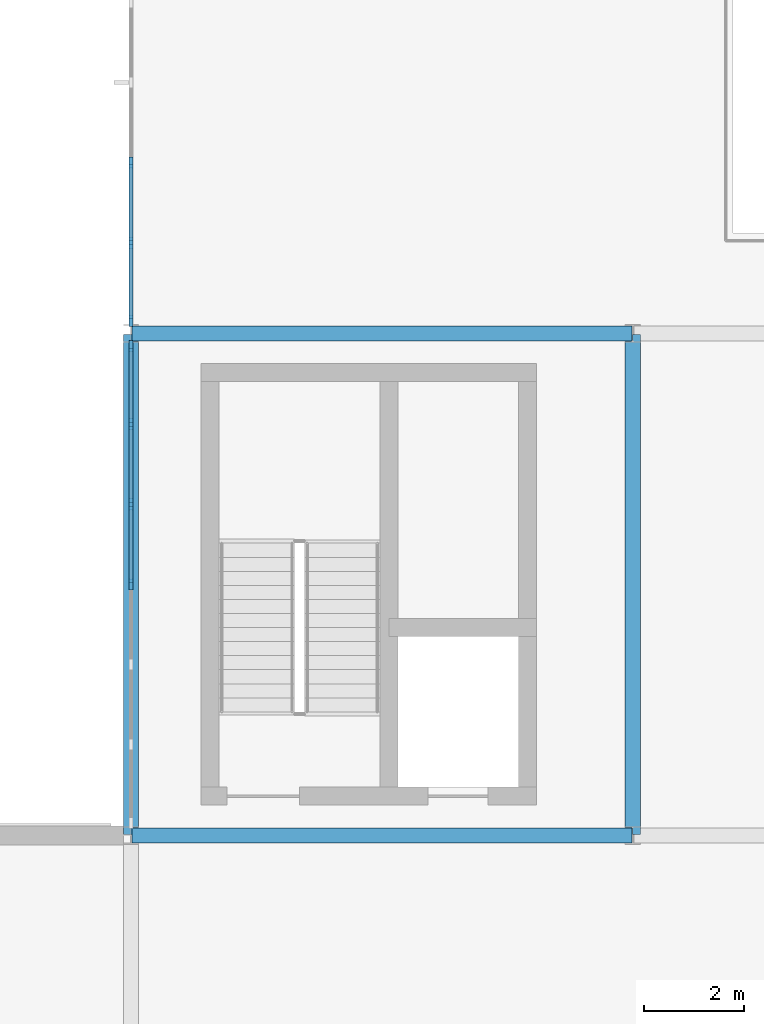
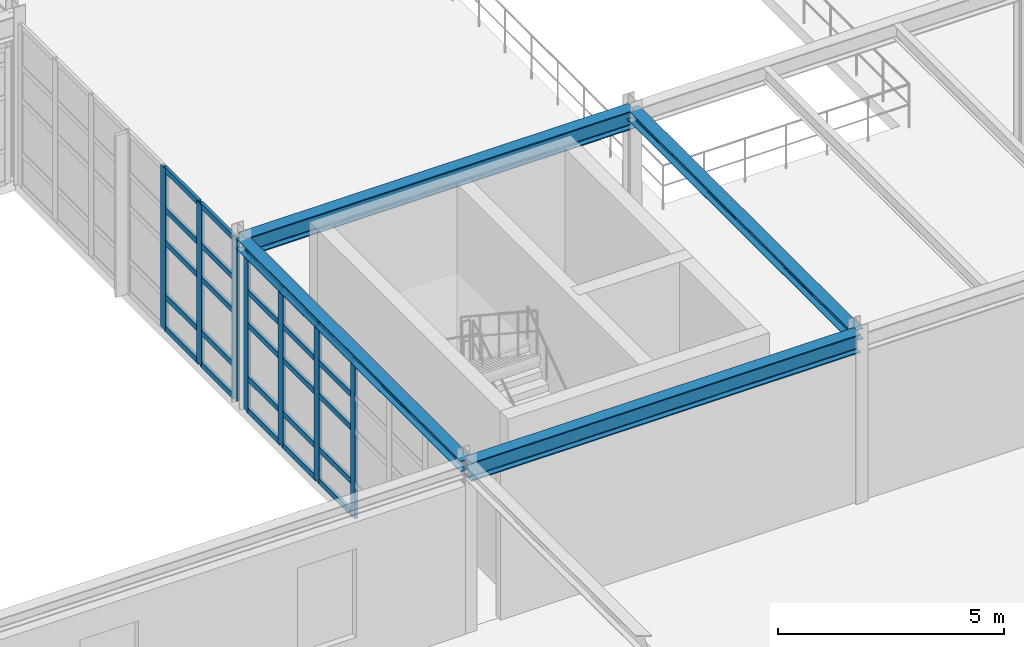
# One storey, part 36 of 139: 32 members, 4 beams, 2 elements without a shape of their own.
"""IFC4 building model written with IfcOpenShell, lengths in metres."""

from ifc_helpers import new_model, si_unit, direction, frame, origin, origin_2d, place, context, subcontext, project, spatial, rectangle, i_section, extrude, material, layer, layer_set, material_profile, profile_set, type_object, element, aggregate, save


model = new_model("IFC4")

# Units and contexts
model_context = context("Model", 3, precision=1e-05, world=origin(), true_north=direction((0.0, 1.0)))
body_context = subcontext(model_context, "Body", "Model", "MODEL_VIEW")
ifc_project = project(units=[si_unit("LENGTHUNIT", "METRE"), si_unit("AREAUNIT", "SQUARE_METRE"), si_unit("VOLUMEUNIT", "CUBIC_METRE"), si_unit("PLANEANGLEUNIT", "RADIAN"), si_unit("MASSUNIT", "GRAM", prefix="KILO"), si_unit("THERMODYNAMICTEMPERATUREUNIT", "KELVIN"), si_unit("POWERUNIT", "WATT")], contexts=[model_context])

# Site, building, storey
site_placement = place(None, origin())
site = spatial("IfcSite", under=ifc_project, at=site_placement, CompositionType="ELEMENT")
building_placement = place(site_placement, origin())
building = spatial("IfcBuilding", under=site, at=building_placement, Name="Korenveer Ferry Terminal", CompositionType="ELEMENT")
storey_placement = place(building_placement, frame((0.0, 0.0, 5.39990234375)))
storey = spatial("IfcBuildingStorey", under=building, at=storey_placement, Name="L01", CompositionType="ELEMENT", Elevation=5.39990234375)

# Curtain wall, members
ifc_material_1 = material(Name="Unitised bronze-and-glass curtain wall", Category="glass")
ifc_layer_1 = layer(ifc_material_1, 0.219970703125)
ifc_layer_set_1 = layer_set([ifc_layer_1], Name="Unitised bronze-and-glass curtain wall")
curtain_wall_type_1 = type_object("IfcCurtainWallType", Name="ENV-CW-68", PredefinedType="USERDEFINED", material=ifc_layer_set_1)
curtain_wall_1_placement = place(storey_placement, frame((53.0, 50.2099609375, 0.0)))
curtain_wall_1 = element("IfcCurtainWall", 1, at=curtain_wall_1_placement, inside=storey, type_object=curtain_wall_type_1, Name="Lancet curtain wall CWX-L01-X53-53-Y50-60", ObjectType="UNITISED CURTAIN WALL", PredefinedType="USERDEFINED")
ifc_material_2 = material(Name="Anodised bronze aluminium", Category="aluminium")
ifc_material_profile_1 = material_profile(ifc_material_2, rectangle(XDim=0.074951171875, YDim=0.219970703125, at=origin_2d()), Name="ALU 75x220")
ifc_profile_set_1 = profile_set([ifc_material_profile_1], Name="Anodised bronze aluminium")
member_type_1 = type_object("IfcMemberType", Name="ENV-CWM-75X220", PredefinedType="MULLION", material=ifc_profile_set_1)
member_1_placement = place(storey_placement, frame((53.0, 55.0, 0.0), z_axis=(0.0, 0.0, 1.0), x_axis=(-1.0, 0.0, 0.0)))
member_1 = element("IfcMember", 2, at=member_1_placement, type_object=member_type_1, Name="CW-68 mullion 4", PredefinedType="MULLION", context=body_context, shape_type="SweptSolid", body=[
    extrude(rectangle(XDim=0.074951171875, YDim=0.219970703125, at=origin_2d()), origin(), (0.0, 0.0, 1.0), 4.22998046875),
])
member_2_placement = place(storey_placement, frame((53.0, 56.5966796875, 0.0), z_axis=(0.0, 0.0, 1.0), x_axis=(-1.0, 0.0, 0.0)))
member_2 = element("IfcMember", 3, at=member_2_placement, type_object=member_type_1, Name="CW-68 mullion 5", PredefinedType="MULLION", context=body_context, shape_type="SweptSolid", body=[
    extrude(rectangle(XDim=0.074951171875, YDim=0.219970703125, at=origin_2d()), origin(), (0.0, 0.0, 1.0), 4.22998046875),
])
member_3_placement = place(storey_placement, frame((53.0, 58.193359375, 0.0), z_axis=(0.0, 0.0, 1.0), x_axis=(-1.0, 0.0, 0.0)))
member_3 = element("IfcMember", 4, at=member_3_placement, type_object=member_type_1, Name="CW-68 mullion 6", PredefinedType="MULLION", context=body_context, shape_type="SweptSolid", body=[
    extrude(rectangle(XDim=0.074951171875, YDim=0.219970703125, at=origin_2d()), origin(), (0.0, 0.0, 1.0), 4.22998046875),
])
member_4_placement = place(storey_placement, frame((53.0, 59.75244140625, 0.0), z_axis=(0.0, 0.0, 1.0), x_axis=(-1.0, 0.0, 0.0)))
member_4 = element("IfcMember", 5, at=member_4_placement, type_object=member_type_1, Name="CW-68 mullion 7", PredefinedType="MULLION", context=body_context, shape_type="SweptSolid", body=[
    extrude(rectangle(XDim=0.074951171875, YDim=0.219970703125, at=origin_2d()), origin(), (0.0, 0.0, 1.0), 4.22998046875),
])

ifc_layer_2 = layer(ifc_material_1, 0.219970703125)
ifc_layer_set_2 = layer_set([ifc_layer_2], Name="Unitised bronze-and-glass curtain wall")
curtain_wall_type_2 = type_object("IfcCurtainWallType", Name="ENV-CW-69", PredefinedType="USERDEFINED", material=ifc_layer_set_2)
curtain_wall_2_placement = place(storey_placement, frame((53.0, 60.2099609375, 0.0)))
curtain_wall_2 = element("IfcCurtainWall", 6, at=curtain_wall_2_placement, inside=storey, type_object=curtain_wall_type_2, Name="Lancet curtain wall CWX-L01-X53-53-Y60-70", ObjectType="UNITISED CURTAIN WALL", PredefinedType="USERDEFINED")
member_5_placement = place(storey_placement, frame((53.0, 60.24755859375, 0.0), z_axis=(0.0, 0.0, 1.0), x_axis=(-1.0, 0.0, 0.0)))
member_5 = element("IfcMember", 7, at=member_5_placement, type_object=member_type_1, Name="CW-69 mullion 1", PredefinedType="MULLION", context=body_context, shape_type="SweptSolid", body=[
    extrude(rectangle(XDim=0.074951171875, YDim=0.219970703125, at=origin_2d()), origin(), (0.0, 0.0, 1.0), 4.360107421875),
])
member_6_placement = place(storey_placement, frame((53.0, 61.806640625, 0.0), z_axis=(0.0, 0.0, 1.0), x_axis=(-1.0, 0.0, 0.0)))
member_6 = element("IfcMember", 8, at=member_6_placement, type_object=member_type_1, Name="CW-69 mullion 2", PredefinedType="MULLION", context=body_context, shape_type="SweptSolid", body=[
    extrude(rectangle(XDim=0.074951171875, YDim=0.219970703125, at=origin_2d()), origin(), (0.0, 0.0, 1.0), 4.360107421875),
])
member_7_placement = place(storey_placement, frame((53.0, 63.4033203125, 0.0), z_axis=(0.0, 0.0, 1.0), x_axis=(-1.0, 0.0, 0.0)))
member_7 = element("IfcMember", 9, at=member_7_placement, type_object=member_type_1, Name="CW-69 mullion 3", PredefinedType="MULLION", context=body_context, shape_type="SweptSolid", body=[
    extrude(rectangle(XDim=0.074951171875, YDim=0.219970703125, at=origin_2d()), origin(), (0.0, 0.0, 1.0), 4.360107421875),
])

# Member
ifc_material_profile_2 = material_profile(ifc_material_2, rectangle(XDim=0.074951171875, YDim=0.14990234375, at=origin_2d()), Name="ALU 75x150")
ifc_profile_set_2 = profile_set([ifc_material_profile_2], Name="Anodised bronze aluminium")
member_type_2 = type_object("IfcMemberType", Name="ENV-CWT-75X150", PredefinedType="USERDEFINED", material=ifc_profile_set_2)
member_8_placement = place(storey_placement, frame((53.0, 55.03759765625, 0.03759765625), z_axis=(0.0, 1.0, 0.0), x_axis=(-1.0, 0.0, 0.0)))
member_8 = element("IfcMember", 10, at=member_8_placement, type_object=member_type_2, Name="CW-68 transom 4.1", ObjectType="TRANSOM", PredefinedType="USERDEFINED", context=body_context, shape_type="SweptSolid", body=[
    extrude(rectangle(XDim=0.074951171875, YDim=0.14990234375, at=origin_2d()), origin(), (0.0, 0.0, 1.0), 1.521484375),
])

member_9_placement = place(storey_placement, frame((53.0, 55.03759765625, 0.900146484375), z_axis=(0.0, 1.0, 0.0), x_axis=(-1.0, 0.0, 0.0)))
member_9 = element("IfcMember", 11, at=member_9_placement, type_object=member_type_2, Name="CW-68 transom 4.2", ObjectType="TRANSOM", PredefinedType="USERDEFINED", context=body_context, shape_type="SweptSolid", body=[
    extrude(rectangle(XDim=0.074951171875, YDim=0.14990234375, at=origin_2d()), origin(), (0.0, 0.0, 1.0), 1.521484375),
])

member_10_placement = place(storey_placement, frame((53.0, 55.03759765625, 2.35009765625), z_axis=(0.0, 1.0, 0.0), x_axis=(-1.0, 0.0, 0.0)))
member_10 = element("IfcMember", 12, at=member_10_placement, type_object=member_type_2, Name="CW-68 transom 4.3", ObjectType="TRANSOM", PredefinedType="USERDEFINED", context=body_context, shape_type="SweptSolid", body=[
    extrude(rectangle(XDim=0.074951171875, YDim=0.14990234375, at=origin_2d()), origin(), (0.0, 0.0, 1.0), 1.521484375),
])

member_11_placement = place(storey_placement, frame((53.0, 55.03759765625, 3.25), z_axis=(0.0, 1.0, 0.0), x_axis=(-1.0, 0.0, 0.0)))
member_11 = element("IfcMember", 13, at=member_11_placement, type_object=member_type_2, Name="CW-68 transom 4.4", ObjectType="TRANSOM", PredefinedType="USERDEFINED", context=body_context, shape_type="SweptSolid", body=[
    extrude(rectangle(XDim=0.074951171875, YDim=0.14990234375, at=origin_2d()), origin(), (0.0, 0.0, 1.0), 1.521484375),
])

member_12_placement = place(storey_placement, frame((53.0, 55.03759765625, 4.192626953125), z_axis=(0.0, 1.0, 0.0), x_axis=(-1.0, 0.0, 0.0)))
member_12 = element("IfcMember", 14, at=member_12_placement, type_object=member_type_2, Name="CW-68 transom 4.5", ObjectType="TRANSOM", PredefinedType="USERDEFINED", context=body_context, shape_type="SweptSolid", body=[
    extrude(rectangle(XDim=0.074951171875, YDim=0.14990234375, at=origin_2d()), origin(), (0.0, 0.0, 1.0), 1.521484375),
])

member_13_placement = place(storey_placement, frame((53.0, 56.63427734375, 0.03759765625), z_axis=(0.0, 1.0, 0.0), x_axis=(-1.0, 0.0, 0.0)))
member_13 = element("IfcMember", 15, at=member_13_placement, type_object=member_type_2, Name="CW-68 transom 5.1", ObjectType="TRANSOM", PredefinedType="USERDEFINED", context=body_context, shape_type="SweptSolid", body=[
    extrude(rectangle(XDim=0.074951171875, YDim=0.14990234375, at=origin_2d()), origin(), (0.0, 0.0, 1.0), 1.521484375),
])

member_14_placement = place(storey_placement, frame((53.0, 56.63427734375, 0.900146484375), z_axis=(0.0, 1.0, 0.0), x_axis=(-1.0, 0.0, 0.0)))
member_14 = element("IfcMember", 16, at=member_14_placement, type_object=member_type_2, Name="CW-68 transom 5.2", ObjectType="TRANSOM", PredefinedType="USERDEFINED", context=body_context, shape_type="SweptSolid", body=[
    extrude(rectangle(XDim=0.074951171875, YDim=0.14990234375, at=origin_2d()), origin(), (0.0, 0.0, 1.0), 1.521484375),
])

member_15_placement = place(storey_placement, frame((53.0, 56.63427734375, 2.35009765625), z_axis=(0.0, 1.0, 0.0), x_axis=(-1.0, 0.0, 0.0)))
member_15 = element("IfcMember", 17, at=member_15_placement, type_object=member_type_2, Name="CW-68 transom 5.3", ObjectType="TRANSOM", PredefinedType="USERDEFINED", context=body_context, shape_type="SweptSolid", body=[
    extrude(rectangle(XDim=0.074951171875, YDim=0.14990234375, at=origin_2d()), origin(), (0.0, 0.0, 1.0), 1.521484375),
])

member_16_placement = place(storey_placement, frame((53.0, 56.63427734375, 3.25), z_axis=(0.0, 1.0, 0.0), x_axis=(-1.0, 0.0, 0.0)))
member_16 = element("IfcMember", 18, at=member_16_placement, type_object=member_type_2, Name="CW-68 transom 5.4", ObjectType="TRANSOM", PredefinedType="USERDEFINED", context=body_context, shape_type="SweptSolid", body=[
    extrude(rectangle(XDim=0.074951171875, YDim=0.14990234375, at=origin_2d()), origin(), (0.0, 0.0, 1.0), 1.521484375),
])

member_17_placement = place(storey_placement, frame((53.0, 56.63427734375, 4.192626953125), z_axis=(0.0, 1.0, 0.0), x_axis=(-1.0, 0.0, 0.0)))
member_17 = element("IfcMember", 19, at=member_17_placement, type_object=member_type_2, Name="CW-68 transom 5.5", ObjectType="TRANSOM", PredefinedType="USERDEFINED", context=body_context, shape_type="SweptSolid", body=[
    extrude(rectangle(XDim=0.074951171875, YDim=0.14990234375, at=origin_2d()), origin(), (0.0, 0.0, 1.0), 1.521484375),
])

member_18_placement = place(storey_placement, frame((53.0, 58.230712890625, 0.03759765625), z_axis=(0.0, 1.0, 0.0), x_axis=(-1.0, 0.0, 0.0)))
member_18 = element("IfcMember", 20, at=member_18_placement, type_object=member_type_2, Name="CW-68 transom 6.1", ObjectType="TRANSOM", PredefinedType="USERDEFINED", context=body_context, shape_type="SweptSolid", body=[
    extrude(rectangle(XDim=0.074951171875, YDim=0.14990234375, at=origin_2d()), origin(), (0.0, 0.0, 1.0), 1.484375),
])

member_19_placement = place(storey_placement, frame((53.0, 58.230712890625, 0.900146484375), z_axis=(0.0, 1.0, 0.0), x_axis=(-1.0, 0.0, 0.0)))
member_19 = element("IfcMember", 21, at=member_19_placement, type_object=member_type_2, Name="CW-68 transom 6.2", ObjectType="TRANSOM", PredefinedType="USERDEFINED", context=body_context, shape_type="SweptSolid", body=[
    extrude(rectangle(XDim=0.074951171875, YDim=0.14990234375, at=origin_2d()), origin(), (0.0, 0.0, 1.0), 1.484375),
])

member_20_placement = place(storey_placement, frame((53.0, 58.230712890625, 2.35009765625), z_axis=(0.0, 1.0, 0.0), x_axis=(-1.0, 0.0, 0.0)))
member_20 = element("IfcMember", 22, at=member_20_placement, type_object=member_type_2, Name="CW-68 transom 6.3", ObjectType="TRANSOM", PredefinedType="USERDEFINED", context=body_context, shape_type="SweptSolid", body=[
    extrude(rectangle(XDim=0.074951171875, YDim=0.14990234375, at=origin_2d()), origin(), (0.0, 0.0, 1.0), 1.484375),
])

member_21_placement = place(storey_placement, frame((53.0, 58.230712890625, 3.25), z_axis=(0.0, 1.0, 0.0), x_axis=(-1.0, 0.0, 0.0)))
member_21 = element("IfcMember", 23, at=member_21_placement, type_object=member_type_2, Name="CW-68 transom 6.4", ObjectType="TRANSOM", PredefinedType="USERDEFINED", context=body_context, shape_type="SweptSolid", body=[
    extrude(rectangle(XDim=0.074951171875, YDim=0.14990234375, at=origin_2d()), origin(), (0.0, 0.0, 1.0), 1.484375),
])

member_22_placement = place(storey_placement, frame((53.0, 58.230712890625, 4.192626953125), z_axis=(0.0, 1.0, 0.0), x_axis=(-1.0, 0.0, 0.0)))
member_22 = element("IfcMember", 24, at=member_22_placement, type_object=member_type_2, Name="CW-68 transom 6.5", ObjectType="TRANSOM", PredefinedType="USERDEFINED", context=body_context, shape_type="SweptSolid", body=[
    extrude(rectangle(XDim=0.074951171875, YDim=0.14990234375, at=origin_2d()), origin(), (0.0, 0.0, 1.0), 1.484375),
])

aggregate(curtain_wall_1, [member_1, member_2, member_3, member_4, member_8, member_9, member_10, member_11, member_12, member_13, member_14, member_15, member_16, member_17, member_18, member_19, member_20, member_21, member_22])

member_23_placement = place(storey_placement, frame((53.0, 60.284912109375, 0.03759765625), z_axis=(0.0, 1.0, 0.0), x_axis=(-1.0, 0.0, 0.0)))
member_23 = element("IfcMember", 25, at=member_23_placement, type_object=member_type_2, Name="CW-69 transom 1.1", ObjectType="TRANSOM", PredefinedType="USERDEFINED", context=body_context, shape_type="SweptSolid", body=[
    extrude(rectangle(XDim=0.074951171875, YDim=0.14990234375, at=origin_2d()), origin(), (0.0, 0.0, 1.0), 1.484375),
])

member_24_placement = place(storey_placement, frame((53.0, 60.284912109375, 0.900146484375), z_axis=(0.0, 1.0, 0.0), x_axis=(-1.0, 0.0, 0.0)))
member_24 = element("IfcMember", 26, at=member_24_placement, type_object=member_type_2, Name="CW-69 transom 1.2", ObjectType="TRANSOM", PredefinedType="USERDEFINED", context=body_context, shape_type="SweptSolid", body=[
    extrude(rectangle(XDim=0.074951171875, YDim=0.14990234375, at=origin_2d()), origin(), (0.0, 0.0, 1.0), 1.484375),
])

member_25_placement = place(storey_placement, frame((53.0, 60.284912109375, 2.35009765625), z_axis=(0.0, 1.0, 0.0), x_axis=(-1.0, 0.0, 0.0)))
member_25 = element("IfcMember", 27, at=member_25_placement, type_object=member_type_2, Name="CW-69 transom 1.3", ObjectType="TRANSOM", PredefinedType="USERDEFINED", context=body_context, shape_type="SweptSolid", body=[
    extrude(rectangle(XDim=0.074951171875, YDim=0.14990234375, at=origin_2d()), origin(), (0.0, 0.0, 1.0), 1.484375),
])

member_26_placement = place(storey_placement, frame((53.0, 60.284912109375, 3.25), z_axis=(0.0, 1.0, 0.0), x_axis=(-1.0, 0.0, 0.0)))
member_26 = element("IfcMember", 28, at=member_26_placement, type_object=member_type_2, Name="CW-69 transom 1.4", ObjectType="TRANSOM", PredefinedType="USERDEFINED", context=body_context, shape_type="SweptSolid", body=[
    extrude(rectangle(XDim=0.074951171875, YDim=0.14990234375, at=origin_2d()), origin(), (0.0, 0.0, 1.0), 1.484375),
])

member_27_placement = place(storey_placement, frame((53.0, 60.284912109375, 4.322509765625), z_axis=(0.0, 1.0, 0.0), x_axis=(-1.0, 0.0, 0.0)))
member_27 = element("IfcMember", 29, at=member_27_placement, type_object=member_type_2, Name="CW-69 transom 1.5", ObjectType="TRANSOM", PredefinedType="USERDEFINED", context=body_context, shape_type="SweptSolid", body=[
    extrude(rectangle(XDim=0.074951171875, YDim=0.14990234375, at=origin_2d()), origin(), (0.0, 0.0, 1.0), 1.484375),
])

member_28_placement = place(storey_placement, frame((53.0, 61.84423828125, 0.03759765625), z_axis=(0.0, 1.0, 0.0), x_axis=(-1.0, 0.0, 0.0)))
member_28 = element("IfcMember", 30, at=member_28_placement, type_object=member_type_2, Name="CW-69 transom 2.1", ObjectType="TRANSOM", PredefinedType="USERDEFINED", context=body_context, shape_type="SweptSolid", body=[
    extrude(rectangle(XDim=0.074951171875, YDim=0.14990234375, at=origin_2d()), origin(), (0.0, 0.0, 1.0), 1.521484375),
])

member_29_placement = place(storey_placement, frame((53.0, 61.84423828125, 0.900146484375), z_axis=(0.0, 1.0, 0.0), x_axis=(-1.0, 0.0, 0.0)))
member_29 = element("IfcMember", 31, at=member_29_placement, type_object=member_type_2, Name="CW-69 transom 2.2", ObjectType="TRANSOM", PredefinedType="USERDEFINED", context=body_context, shape_type="SweptSolid", body=[
    extrude(rectangle(XDim=0.074951171875, YDim=0.14990234375, at=origin_2d()), origin(), (0.0, 0.0, 1.0), 1.521484375),
])

member_30_placement = place(storey_placement, frame((53.0, 61.84423828125, 2.35009765625), z_axis=(0.0, 1.0, 0.0), x_axis=(-1.0, 0.0, 0.0)))
member_30 = element("IfcMember", 32, at=member_30_placement, type_object=member_type_2, Name="CW-69 transom 2.3", ObjectType="TRANSOM", PredefinedType="USERDEFINED", context=body_context, shape_type="SweptSolid", body=[
    extrude(rectangle(XDim=0.074951171875, YDim=0.14990234375, at=origin_2d()), origin(), (0.0, 0.0, 1.0), 1.521484375),
])

member_31_placement = place(storey_placement, frame((53.0, 61.84423828125, 3.25), z_axis=(0.0, 1.0, 0.0), x_axis=(-1.0, 0.0, 0.0)))
member_31 = element("IfcMember", 33, at=member_31_placement, type_object=member_type_2, Name="CW-69 transom 2.4", ObjectType="TRANSOM", PredefinedType="USERDEFINED", context=body_context, shape_type="SweptSolid", body=[
    extrude(rectangle(XDim=0.074951171875, YDim=0.14990234375, at=origin_2d()), origin(), (0.0, 0.0, 1.0), 1.521484375),
])

member_32_placement = place(storey_placement, frame((53.0, 61.84423828125, 4.322509765625), z_axis=(0.0, 1.0, 0.0), x_axis=(-1.0, 0.0, 0.0)))
member_32 = element("IfcMember", 34, at=member_32_placement, type_object=member_type_2, Name="CW-69 transom 2.5", ObjectType="TRANSOM", PredefinedType="USERDEFINED", context=body_context, shape_type="SweptSolid", body=[
    extrude(rectangle(XDim=0.074951171875, YDim=0.14990234375, at=origin_2d()), origin(), (0.0, 0.0, 1.0), 1.521484375),
])

aggregate(curtain_wall_2, [member_5, member_6, member_7, member_23, member_24, member_25, member_26, member_27, member_28, member_29, member_30, member_31, member_32])

# Beams
ifc_material_3 = material(Name="Steel S355", Category="steel")
ifc_material_profile_3 = material_profile(ifc_material_3, i_section(OverallWidth=0.300048828125, OverallDepth=0.2900390625, WebThickness=0.008544921875, FlangeThickness=0.013916015625, FilletRadius=0.027099609375, at=origin_2d()), Name="HEA 300")
ifc_profile_set_3 = profile_set([ifc_material_profile_3], Name="Steel S355")
beam_type_1 = type_object("IfcBeamType", Name="STR-BM-HEA300", PredefinedType="BEAM", material=ifc_profile_set_3)
for number, where, z_axis, x_axis, name in (
    (35, (53.0, 50.02001953125, 4.405029296875), (0.0, 1.0, 0.0), (-1.0, 0.0, 0.0), "Primary Y girder BMY-L02-X53-Y50-60"),
    (36, (63.0, 50.02001953125, 4.405029296875), (0.0, 1.0, 0.0), (-1.0, 0.0, 0.0), "Primary Y girder BMY-L02-X63-Y50-60"),
):
    element("IfcBeam", number, at=place(storey_placement, frame(where, z_axis=z_axis, x_axis=x_axis)), inside=storey, type_object=beam_type_1, Name=name, PredefinedType="BEAM", context=body_context, shape_type="SweptSolid", body=[
        extrude(i_section(OverallWidth=0.300048828125, OverallDepth=0.2900390625, WebThickness=0.008544921875, FlangeThickness=0.013916015625, FilletRadius=0.027099609375, at=origin_2d()), origin(), (0.0, 0.0, 1.0), 9.9599609375),
    ])
ifc_material_profile_4 = material_profile(ifc_material_3, i_section(OverallWidth=0.300048828125, OverallDepth=0.5, WebThickness=0.014404296875, FlangeThickness=0.028076171875, FilletRadius=0.027099609375, at=origin_2d()), Name="HEB 500")
ifc_profile_set_4 = profile_set([ifc_material_profile_4], Name="Steel S355")
beam_type_2 = type_object("IfcBeamType", Name="STR-BM-HEB500", PredefinedType="BEAM", material=ifc_profile_set_4)
for number, where, z_axis, x_axis, name in (
    (37, (53.02001953125, 50.0, 4.300048828125), (1.0, 0.0, 0.0), (0.0, 1.0, 0.0), "Primary X girder BMX-L02-X53-63-Y50"),
    (38, (53.02001953125, 60.0, 4.300048828125), (1.0, 0.0, 0.0), (0.0, 1.0, 0.0), "Primary X girder BMX-L02-X53-63-Y60"),
):
    element("IfcBeam", number, at=place(storey_placement, frame(where, z_axis=z_axis, x_axis=x_axis)), inside=storey, type_object=beam_type_2, Name=name, PredefinedType="BEAM", context=body_context, shape_type="SweptSolid", body=[
        extrude(i_section(OverallWidth=0.300048828125, OverallDepth=0.5, WebThickness=0.014404296875, FlangeThickness=0.028076171875, FilletRadius=0.027099609375, at=origin_2d()), origin(), (0.0, 0.0, 1.0), 9.9599609375),
    ])

save(model, "model.ifc")
